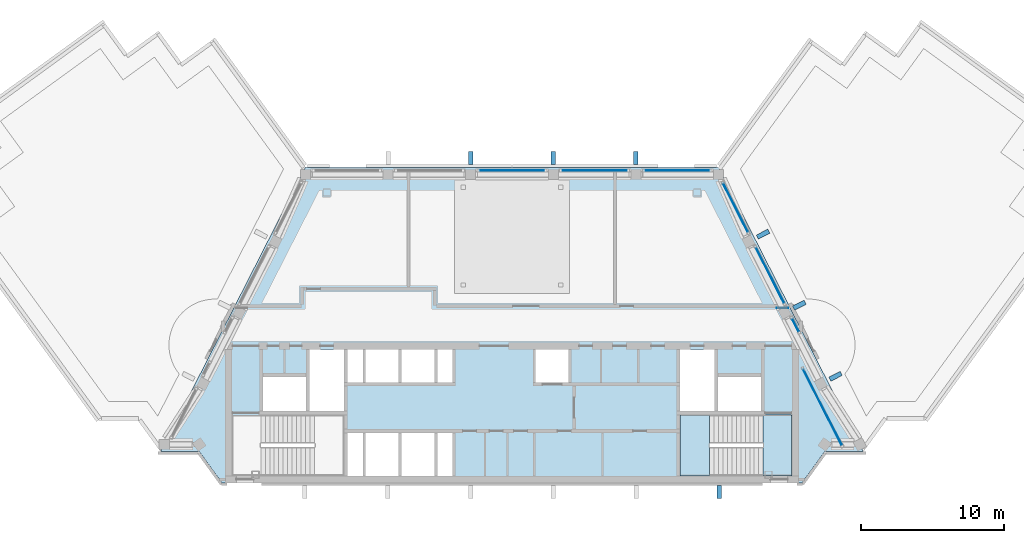
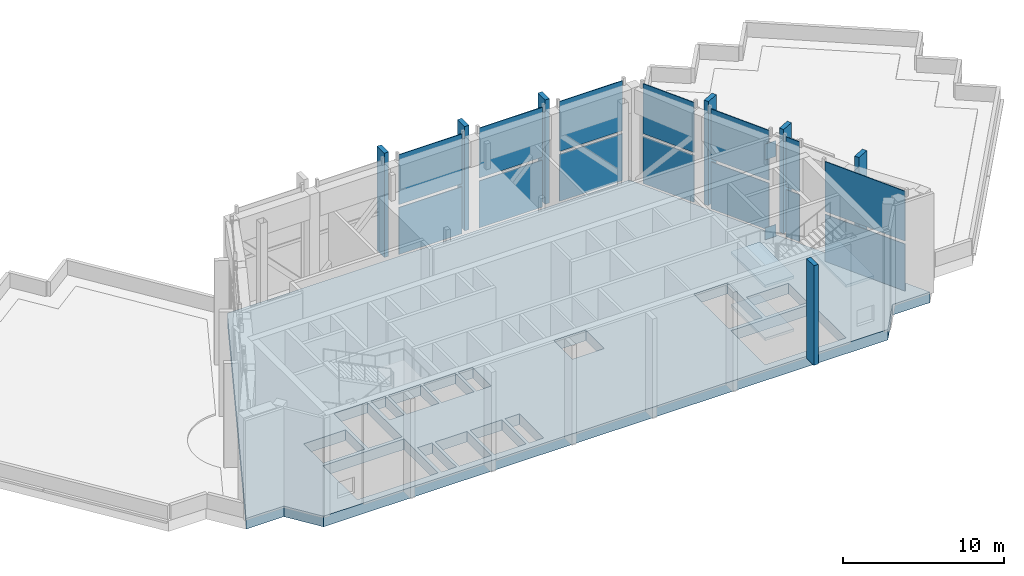
# One storey, part 6 of 14: 23 plates, 4 slabs, 8 elements without a shape of their own.
"""IFC4 building model written with IfcOpenShell, lengths in metres."""

from ifc_helpers import new_model, si_unit, direction, frame, origin, origin_2d, place, context, subcontext, project, spatial, polyline, rectangle, outline, extrude, material, layer, layer_set, type_object, element, aggregate, save


model = new_model("IFC4")

# Units and contexts
model_context = context("Model", 3, precision=1e-05, world=origin(), true_north=direction((0.0, 1.0)))
body_context = subcontext(model_context, "Body", "Model", "MODEL_VIEW")
ifc_project = project(units=[si_unit("LENGTHUNIT", "METRE"), si_unit("AREAUNIT", "SQUARE_METRE"), si_unit("VOLUMEUNIT", "CUBIC_METRE"), si_unit("PLANEANGLEUNIT", "RADIAN"), si_unit("MASSUNIT", "GRAM", prefix="KILO")], contexts=[model_context])

# Site, building, storey
site_placement = place(None, origin())
site = spatial("IfcSite", under=ifc_project, at=site_placement, CompositionType="ELEMENT")
building_placement = place(site_placement, origin())
building = spatial("IfcBuilding", under=site, at=building_placement, Name="Quipu Civic Tower", CompositionType="ELEMENT")
storey_placement = place(building_placement, frame((0.0, 0.0, 355.0)))
storey = spatial("IfcBuildingStorey", under=building, at=storey_placement, Name="L83", CompositionType="ELEMENT", Elevation=355.0)

# Plates
ifc_material_1 = material(Name="Steel ASTM A572 Grade 50 (fy 345 MPa)", Category="steel")
ifc_layer_1 = layer(ifc_material_1, 0.030029296875)
ifc_layer_set_1 = layer_set([ifc_layer_1], Name="Steel ASTM A572 Grade 50 (fy 345 MPa)")
plate_type_1 = type_object("IfcPlateType", Name="Cast in plate BC2", PredefinedType="SHEET", material=ifc_layer_set_1)
plate_1_placement = place(storey_placement, frame((18.83935546875, 1.199951171875, -0.29638671875), z_axis=(0.0, 0.0, 1.0), x_axis=(1.0, 0.0, 0.0)))
element("IfcPlate", 1, at=plate_1_placement, inside=storey, type_object=plate_type_1, Name="Cast-in plate BC2 L83 077", PredefinedType="SHEET", context=body_context, shape_type="SweptSolid", body=[
    extrude(rectangle(XDim=0.800048828125, YDim=0.030029296875, at=origin_2d()), origin(), (0.0, 0.0, 1.0), 1.199951171875),
])
ifc_material_2 = material(Name="Steel ASTM A572 Grade 50 (fy 345 MPa)", Category="steel")
ifc_layer_2 = layer(ifc_material_2, 0.030029296875)
ifc_layer_set_2 = layer_set([ifc_layer_2], Name="Steel ASTM A572 Grade 50 (fy 345 MPa)")
plate_type_2 = type_object("IfcPlateType", Name="Cast in plate TC2", PredefinedType="SHEET", material=ifc_layer_set_2)
plate_2_placement = place(storey_placement, frame((18.83935546875, 1.199951171875, 6.0498046875), z_axis=(0.0, 0.0, 1.0), x_axis=(1.0, 0.0, 0.0)))
element("IfcPlate", 2, at=plate_2_placement, inside=storey, type_object=plate_type_2, Name="Cast-in plate TC2 L83 076", PredefinedType="SHEET", context=body_context, shape_type="SweptSolid", body=[
    extrude(rectangle(XDim=0.800048828125, YDim=0.030029296875, at=origin_2d()), origin(), (0.0, 0.0, 1.0), 1.199951171875),
])

# Slab
ifc_material_3 = material(Name="Concrete C40/50", Category="concrete")
ifc_layer_3 = layer(ifc_material_3, 0.800048828125)
ifc_layer_set_3 = layer_set([ifc_layer_3], Name="Concrete C40/50")
slab_type_1 = type_object("IfcSlabType", Name="Floor slab 800 C40/50", PredefinedType="FLOOR", material=ifc_layer_set_3)
slab_1_placement = place(storey_placement, frame((0.0, 0.0, -0.800048828125)))
element("IfcSlab", 3, at=slab_1_placement, inside=storey, type_object=slab_type_1, Name="Floor slab L83", PredefinedType="FLOOR", context=body_context, shape_type="SweptSolid", body=[
    extrude(outline(polyline([(24.489990234375, -8.81494140625), (21.7900390625, -8.81494140625), (20.205078125, -11.0), (-20.205078125, -11.0), (-21.7900390625, -8.81494140625), (-24.489990234375, -8.81494140625), (-14.39501953125, 11.0), (14.39501953125, 11.0), (24.489990234375, -8.81494140625)]), holes=[polyline([(-11.449951171875, -10.5), (-10.39990234375, -10.5), (-10.39990234375, -7.5), (-11.449951171875, -7.5), (-11.449951171875, -10.5)]), polyline([(-10.199951171875, -7.5), (-10.199951171875, -10.5), (-7.89990234375, -10.5), (-7.89990234375, -7.5), (-10.199951171875, -7.5)]), polyline([(-7.699951171875, -7.5), (-7.699951171875, -10.5), (-5.39990234375, -10.5), (-5.39990234375, -7.5), (-7.699951171875, -7.5)]), polyline([(-11.705078125, -6.2548828125), (-17.4951171875, -6.2548828125), (-17.4951171875, -10.4951171875), (-11.705078125, -10.4951171875), (-11.705078125, -6.2548828125)]), polyline([(-17.35009765625, -3.60009765625), (-17.35009765625, -6.0), (-14.35009765625, -6.0), (-14.35009765625, -3.60009765625), (-17.35009765625, -3.60009765625)]), polyline([(-14.10009765625, -1.699951171875), (-14.10009765625, -6.0), (-11.699951171875, -6.0), (-11.699951171875, -1.699951171875), (-14.10009765625, -1.699951171875)]), polyline([(-11.449951171875, -1.699951171875), (-11.449951171875, -4.0), (-10.39990234375, -4.0), (-10.39990234375, -1.699951171875), (-11.449951171875, -1.699951171875)]), polyline([(-10.199951171875, -1.699951171875), (-10.199951171875, -4.0), (-7.89990234375, -4.0), (-7.89990234375, -1.699951171875), (-10.199951171875, -1.699951171875)]), polyline([(-5.199951171875, -7.5), (-5.199951171875, -10.5), (-4.14990234375, -10.5), (-4.14990234375, -7.5), (-5.199951171875, -7.5)]), polyline([(11.705078125, -10.4951171875), (17.4951171875, -10.4951171875), (17.4951171875, -6.2548828125), (11.705078125, -6.2548828125), (11.705078125, -10.4951171875)]), polyline([(14.35009765625, -3.60009765625), (14.35009765625, -6.0), (17.35009765625, -6.0), (17.35009765625, -3.60009765625), (14.35009765625, -3.60009765625)]), polyline([(11.699951171875, -1.699951171875), (11.699951171875, -6.0), (14.10009765625, -6.0), (14.10009765625, -1.699951171875), (11.699951171875, -1.699951171875)]), polyline([(-7.699951171875, -1.699951171875), (-7.699951171875, -4.0), (-5.39990234375, -4.0), (-5.39990234375, -1.699951171875), (-7.699951171875, -1.699951171875)]), polyline([(-5.199951171875, -1.699951171875), (-5.199951171875, -4.0), (-4.14990234375, -4.0), (-4.14990234375, -1.699951171875), (-5.199951171875, -1.699951171875)]), polyline([(1.64990234375, -1.699951171875), (1.64990234375, -4.0), (3.949951171875, -4.0), (3.949951171875, -1.699951171875), (1.64990234375, -1.699951171875)])]), origin(), (0.0, 0.0, 1.0), 0.800048828125),
])

# Curtain wall, plates
ifc_material_4 = material(Name="Insulated glass unit", Category="glass")
curtain_wall_type_1 = type_object("IfcCurtainWallType", Name="Damper hall glazing CW7", PredefinedType="NOTDEFINED", material=ifc_material_4)
curtain_wall_1_placement = place(storey_placement, origin())
curtain_wall_1 = element("IfcCurtainWall", 4, at=curtain_wall_1_placement, inside=storey, type_object=curtain_wall_type_1, Name="Damper hall glazing CW7 L83 run 14a", PredefinedType="NOTDEFINED")
ifc_material_5 = material(Name="Insulated glass unit", Category="glass")
ifc_layer_4 = layer(ifc_material_5, 0.052001953125)
ifc_layer_set_4 = layer_set([ifc_layer_4], Name="Insulated glass unit")
plate_type_3 = type_object("IfcPlateType", Name="Glass panel CW7", PredefinedType="CURTAIN_PANEL", material=ifc_layer_set_4)
plate_3_placement = place(storey_placement, frame((19.75244140625, -0.0068359375, 0.330078125), z_axis=(0.0, 0.0, 1.0), x_axis=(-0.454002976789, 0.891000166704, 0.0)))
plate_3 = element("IfcPlate", 5, at=plate_3_placement, type_object=plate_type_3, Name="CW7 panel 1.1", PredefinedType="CURTAIN_PANEL", context=body_context, shape_type="SweptSolid", body=[
    extrude(rectangle(XDim=0.998291015625, YDim=0.052001953125, at=origin_2d()), origin(), (0.0, 0.0, 1.0), 3.56005859375),
])
plate_4_placement = place(storey_placement, frame((19.75244140625, -0.0068359375, 4.10986328125), z_axis=(0.0, 0.0, 1.0), x_axis=(-0.454002976789, 0.891000166704, 0.0)))
plate_4 = element("IfcPlate", 6, at=plate_4_placement, type_object=plate_type_3, Name="CW7 panel 1.2", PredefinedType="CURTAIN_PANEL", context=body_context, shape_type="SweptSolid", body=[
    extrude(rectangle(XDim=0.998291015625, YDim=0.052001953125, at=origin_2d()), origin(), (0.0, 0.0, 1.0), 3.780029296875),
])
aggregate(curtain_wall_1, [plate_3, plate_4])

curtain_wall_2_placement = place(storey_placement, origin())
curtain_wall_2 = element("IfcCurtainWall", 7, at=curtain_wall_2_placement, inside=storey, type_object=curtain_wall_type_1, Name="Damper hall glazing CW7 L83 run 14b", PredefinedType="NOTDEFINED")
plate_5_placement = place(storey_placement, frame((17.98193359375, 3.467529296875, 0.330078125), z_axis=(0.0, 0.0, 1.0), x_axis=(-0.453980209397, 0.891011767305, 0.0)))
plate_5 = element("IfcPlate", 8, at=plate_5_placement, type_object=plate_type_3, Name="CW7 panel 1.1", PredefinedType="CURTAIN_PANEL", context=body_context, shape_type="SweptSolid", body=[
    extrude(rectangle(XDim=4.31884765625, YDim=0.052001953125, at=origin_2d()), origin(), (0.0, 0.0, 1.0), 3.56005859375),
])
plate_6_placement = place(storey_placement, frame((17.98193359375, 3.467529296875, 4.10986328125), z_axis=(0.0, 0.0, 1.0), x_axis=(-0.453980209397, 0.891011767305, 0.0)))
plate_6 = element("IfcPlate", 9, at=plate_6_placement, type_object=plate_type_3, Name="CW7 panel 1.2", PredefinedType="CURTAIN_PANEL", context=body_context, shape_type="SweptSolid", body=[
    extrude(rectangle(XDim=4.31884765625, YDim=0.052001953125, at=origin_2d()), origin(), (0.0, 0.0, 1.0), 3.780029296875),
])
aggregate(curtain_wall_2, [plate_5, plate_6])

curtain_wall_3_placement = place(storey_placement, origin())
curtain_wall_3 = element("IfcCurtainWall", 10, at=curtain_wall_3_placement, inside=storey, type_object=curtain_wall_type_1, Name="Damper hall glazing CW7 L83 run 14c", PredefinedType="NOTDEFINED")
plate_7_placement = place(storey_placement, frame((15.580810546875, 8.180419921875, 0.330078125), z_axis=(0.0, 0.0, 1.0), x_axis=(-0.453967413121, 0.891018287032, 0.0)))
plate_7 = element("IfcPlate", 11, at=plate_7_placement, type_object=plate_type_3, Name="CW7 panel 1.1", PredefinedType="CURTAIN_PANEL", context=body_context, shape_type="SweptSolid", body=[
    extrude(rectangle(XDim=3.778076171875, YDim=0.052001953125, at=origin_2d()), origin(), (0.0, 0.0, 1.0), 3.56005859375),
])
plate_8_placement = place(storey_placement, frame((15.580810546875, 8.180419921875, 4.10986328125), z_axis=(0.0, 0.0, 1.0), x_axis=(-0.453967413121, 0.891018287032, 0.0)))
plate_8 = element("IfcPlate", 12, at=plate_8_placement, type_object=plate_type_3, Name="CW7 panel 1.2", PredefinedType="CURTAIN_PANEL", context=body_context, shape_type="SweptSolid", body=[
    extrude(rectangle(XDim=3.778076171875, YDim=0.052001953125, at=origin_2d()), origin(), (0.0, 0.0, 1.0), 3.780029296875),
])
aggregate(curtain_wall_3, [plate_7, plate_8])

curtain_wall_4_placement = place(storey_placement, origin())
curtain_wall_4 = element("IfcCurtainWall", 13, at=curtain_wall_4_placement, inside=storey, type_object=curtain_wall_type_1, Name="Damper hall glazing CW7 L83 run 15a", PredefinedType="NOTDEFINED")
plate_9_placement = place(storey_placement, frame((11.51611328125, 10.77587890625, 0.330078125), z_axis=(0.0, 0.0, 1.0), x_axis=(-1.0, 0.0, 0.0)))
plate_9 = element("IfcPlate", 14, at=plate_9_placement, type_object=plate_type_3, Name="CW7 panel 1.1", PredefinedType="CURTAIN_PANEL", context=body_context, shape_type="SweptSolid", body=[
    extrude(rectangle(XDim=4.51708984375, YDim=0.052001953125, at=origin_2d()), origin(), (0.0, 0.0, 1.0), 3.56005859375),
])
plate_10_placement = place(storey_placement, frame((11.51611328125, 10.77587890625, 4.10986328125), z_axis=(0.0, 0.0, 1.0), x_axis=(-1.0, 0.0, 0.0)))
plate_10 = element("IfcPlate", 15, at=plate_10_placement, type_object=plate_type_3, Name="CW7 panel 1.2", PredefinedType="CURTAIN_PANEL", context=body_context, shape_type="SweptSolid", body=[
    extrude(rectangle(XDim=4.51708984375, YDim=0.052001953125, at=origin_2d()), origin(), (0.0, 0.0, 1.0), 3.780029296875),
])
aggregate(curtain_wall_4, [plate_9, plate_10])

curtain_wall_5_placement = place(storey_placement, origin())
curtain_wall_5 = element("IfcCurtainWall", 16, at=curtain_wall_5_placement, inside=storey, type_object=curtain_wall_type_1, Name="Damper hall glazing CW7 L83 run 15b", PredefinedType="NOTDEFINED")
plate_11_placement = place(storey_placement, frame((5.758056640625, 10.77587890625, 0.330078125), z_axis=(0.0, 0.0, 1.0), x_axis=(-1.0, 0.0, 0.0)))
plate_11 = element("IfcPlate", 17, at=plate_11_placement, type_object=plate_type_3, Name="CW7 panel 1.1", PredefinedType="CURTAIN_PANEL", context=body_context, shape_type="SweptSolid", body=[
    extrude(rectangle(XDim=4.51708984375, YDim=0.052001953125, at=origin_2d()), origin(), (0.0, 0.0, 1.0), 3.56005859375),
])
plate_12_placement = place(storey_placement, frame((5.758056640625, 10.77587890625, 4.10986328125), z_axis=(0.0, 0.0, 1.0), x_axis=(-1.0, 0.0, 0.0)))
plate_12 = element("IfcPlate", 18, at=plate_12_placement, type_object=plate_type_3, Name="CW7 panel 1.2", PredefinedType="CURTAIN_PANEL", context=body_context, shape_type="SweptSolid", body=[
    extrude(rectangle(XDim=4.51708984375, YDim=0.052001953125, at=origin_2d()), origin(), (0.0, 0.0, 1.0), 3.780029296875),
])
aggregate(curtain_wall_5, [plate_11, plate_12])

curtain_wall_6_placement = place(storey_placement, origin())
curtain_wall_6 = element("IfcCurtainWall", 19, at=curtain_wall_6_placement, inside=storey, type_object=curtain_wall_type_1, Name="Damper hall glazing CW7 L83 run 15c", PredefinedType="NOTDEFINED")
plate_13_placement = place(storey_placement, frame((0.0, 10.77587890625, 0.330078125), z_axis=(0.0, 0.0, 1.0), x_axis=(-1.0, 0.0, 0.0)))
plate_13 = element("IfcPlate", 20, at=plate_13_placement, type_object=plate_type_3, Name="CW7 panel 1.1", PredefinedType="CURTAIN_PANEL", context=body_context, shape_type="SweptSolid", body=[
    extrude(rectangle(XDim=4.51708984375, YDim=0.052001953125, at=origin_2d()), origin(), (0.0, 0.0, 1.0), 3.56005859375),
])
plate_14_placement = place(storey_placement, frame((0.0, 10.77587890625, 4.10986328125), z_axis=(0.0, 0.0, 1.0), x_axis=(-1.0, 0.0, 0.0)))
plate_14 = element("IfcPlate", 21, at=plate_14_placement, type_object=plate_type_3, Name="CW7 panel 1.2", PredefinedType="CURTAIN_PANEL", context=body_context, shape_type="SweptSolid", body=[
    extrude(rectangle(XDim=4.51708984375, YDim=0.052001953125, at=origin_2d()), origin(), (0.0, 0.0, 1.0), 3.780029296875),
])
aggregate(curtain_wall_6, [plate_13, plate_14])

ifc_material_6 = material(Name="Anodised aluminium insulated panel", Category="aluminium")
curtain_wall_type_2 = type_object("IfcCurtainWallType", Name="Insulated infill wall CW7I", PredefinedType="NOTDEFINED", material=ifc_material_6)
curtain_wall_7_placement = place(storey_placement, origin())
curtain_wall_7 = element("IfcCurtainWall", 22, at=curtain_wall_7_placement, inside=storey, type_object=curtain_wall_type_2, Name="Insulated infill wall CW7I L83 run 12", PredefinedType="NOTDEFINED")
ifc_material_7 = material(Name="Anodised aluminium insulated panel", Category="aluminium")
ifc_layer_5 = layer(ifc_material_7, 0.052001953125)
ifc_layer_set_5 = layer_set([ifc_layer_5], Name="Anodised aluminium insulated panel")
plate_type_4 = type_object("IfcPlateType", Name="Insulated panel CW7I", PredefinedType="CURTAIN_PANEL", material=ifc_layer_set_5)
plate_15_placement = place(storey_placement, frame((21.635498046875, -5.718505859375, 0.330078125), z_axis=(0.0, 0.0, 1.0), x_axis=(-0.454001786399, 0.891000773258, 0.0)))
plate_15 = element("IfcPlate", 23, at=plate_15_placement, type_object=plate_type_4, Name="CW7I panel 1.1", PredefinedType="CURTAIN_PANEL", context=body_context, shape_type="SweptSolid", body=[
    extrude(rectangle(XDim=5.92724609375, YDim=0.052001953125, at=origin_2d()), origin(), (0.0, 0.0, 1.0), 3.56005859375),
])
plate_16_placement = place(storey_placement, frame((21.635498046875, -5.718505859375, 4.10986328125), z_axis=(0.0, 0.0, 1.0), x_axis=(-0.454001786399, 0.891000773258, 0.0)))
plate_16 = element("IfcPlate", 24, at=plate_16_placement, type_object=plate_type_4, Name="CW7I panel 1.2", PredefinedType="CURTAIN_PANEL", context=body_context, shape_type="SweptSolid", body=[
    extrude(rectangle(XDim=5.92724609375, YDim=0.052001953125, at=origin_2d()), origin(), (0.0, 0.0, 1.0), 3.780029296875),
])
aggregate(curtain_wall_7, [plate_15, plate_16])

# Plates
ifc_material_8 = material(Name="Precast concrete C40/50", Category="concrete")
plate_type_5 = type_object("IfcPlateType", Name="Precast fin F3", PredefinedType="SHEET", material=ifc_material_8)
plate_17_placement = place(storey_placement, frame((14.431884765625, -11.637939453125, 0.0), z_axis=(0.0, 0.0, 1.0), x_axis=(1.0, 0.0, 0.0)))
element("IfcPlate", 25, at=plate_17_placement, inside=storey, type_object=plate_type_5, Name="Precast fin F3 L83.7.6", PredefinedType="SHEET", context=body_context, shape_type="SweptSolid", body=[
    extrude(rectangle(XDim=0.320068359375, YDim=0.89990234375, at=origin_2d()), origin(), (0.0, 0.0, 1.0), 7.550048828125),
])
for number, where, z_axis, x_axis, name in (
    (26, (22.546630859375, -3.56640625, 0.10986328125), (0.0, 0.0, 1.0), (-0.453990376607, 0.891006586928, 0.0), "Precast fin F3 L83.12.1"),
    (27, (20.022705078125, 1.386962890625, 0.10986328125), (0.0, 0.0, 1.0), (-0.453990376607, 0.891006586928, 0.0), "Precast fin F3 L83.14.1"),
    (28, (17.49853515625, 6.341064453125, 0.10986328125), (0.0, 0.0, 1.0), (-0.453990376607, 0.891006586928, 0.0), "Precast fin F3 L83.14.2"),
    (29, (8.63720703125, 11.64990234375, 0.10986328125), (0.0, 0.0, 1.0), (-1.0, 0.0, 0.0), "Precast fin F3 L83.15.1"),
    (30, (2.879150390625, 11.64990234375, 0.10986328125), (0.0, 0.0, 1.0), (-1.0, 0.0, 0.0), "Precast fin F3 L83.15.2"),
    (31, (-2.87890625, 11.64990234375, 0.10986328125), (0.0, 0.0, 1.0), (-1.0, 0.0, 0.0), "Precast fin F3 L83.15.3"),
):
    element("IfcPlate", number, at=place(storey_placement, frame(where, z_axis=z_axis, x_axis=x_axis)), inside=storey, type_object=plate_type_5, Name=name, PredefinedType="SHEET", context=body_context, shape_type="SweptSolid", body=[
        extrude(rectangle(XDim=0.320068359375, YDim=0.89990234375, at=origin_2d()), origin(), (0.0, 0.0, 1.0), 7.889892578125),
    ])

# Stair, slabs
ifc_material_9 = material(Name="Concrete C40/50", Category="concrete")
stair_type = type_object("IfcStairType", Name="Half turn stair 2000", PredefinedType="HALF_TURN_STAIR", material=ifc_material_9)
stair_placement = place(storey_placement, origin())
stair = element("IfcStair", 32, at=stair_placement, inside=storey, type_object=stair_type, Name="Exit stair 2", PredefinedType="HALF_TURN_STAIR")
ifc_material_10 = material(Name="Concrete C40/50", Category="concrete")
ifc_layer_6 = layer(ifc_material_10, 0.199951171875)
ifc_layer_set_6 = layer_set([ifc_layer_6], Name="Concrete C40/50")
slab_type_2 = type_object("IfcSlabType", Name="Stair landing 200", PredefinedType="LANDING", material=ifc_layer_set_6)
slab_2_placement = place(storey_placement, frame((0.0, 0.0, 1.800048828125)))
slab_2 = element("IfcSlab", 33, at=slab_2_placement, type_object=slab_type_2, Name="ST-2 landing 1", PredefinedType="LANDING", context=body_context, shape_type="SweptSolid", body=[
    extrude(outline(polyline([(13.780029296875, -6.25), (11.699951171875, -6.25), (11.699951171875, -10.5), (13.780029296875, -10.5), (13.780029296875, -6.25)])), origin(), (0.0, 0.0, 1.0), 0.199951171875),
])
slab_3_placement = place(storey_placement, frame((0.0, 0.0, 3.800048828125)))
slab_3 = element("IfcSlab", 34, at=slab_3_placement, type_object=slab_type_2, Name="ST-2 landing 2", PredefinedType="LANDING", context=body_context, shape_type="SweptSolid", body=[
    extrude(outline(polyline([(19.5, -6.25), (17.5, -6.25), (17.5, -10.5), (19.5, -10.5), (19.5, -6.25)])), origin(), (0.0, 0.0, 1.0), 0.199951171875),
])
slab_4_placement = place(storey_placement, frame((0.0, 0.0, 5.800048828125)))
slab_4 = element("IfcSlab", 35, at=slab_4_placement, type_object=slab_type_2, Name="ST-2 landing 3", PredefinedType="LANDING", context=body_context, shape_type="SweptSolid", body=[
    extrude(outline(polyline([(13.780029296875, -6.25), (11.699951171875, -6.25), (11.699951171875, -10.5), (13.780029296875, -10.5), (13.780029296875, -6.25)])), origin(), (0.0, 0.0, 1.0), 0.199951171875),
])
aggregate(stair, [slab_2, slab_3, slab_4])

save(model, "model.ifc")
